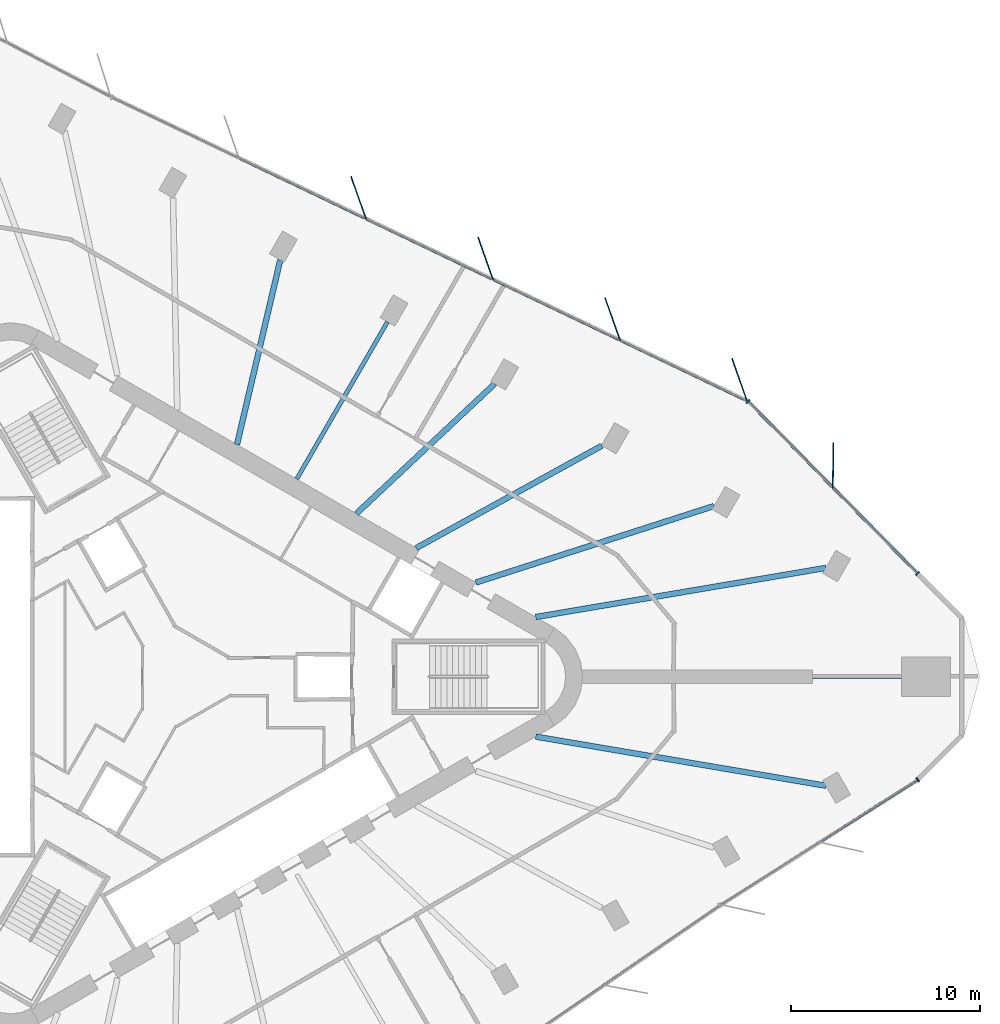
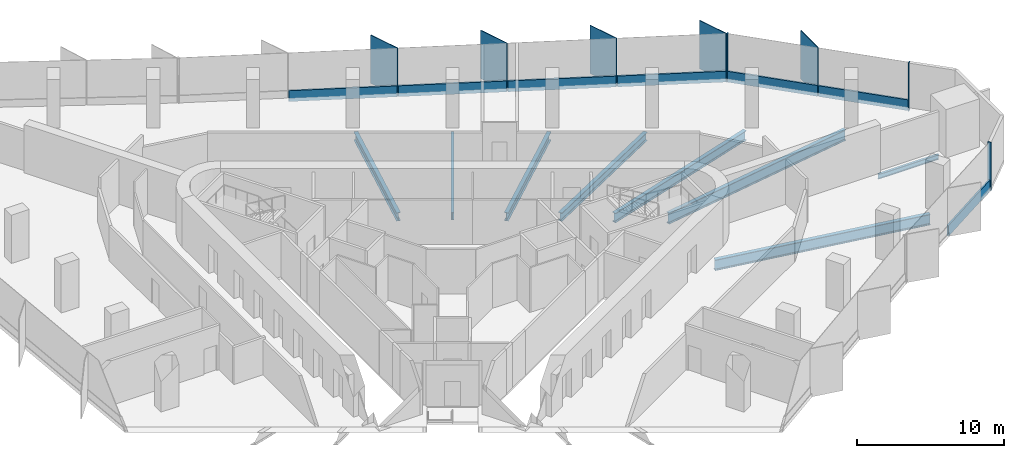
# One storey, part 5 of 13: 15 members, 8 beams, 3 elements without a shape of their own.
"""IFC4 building model written with IfcOpenShell, lengths in metres."""

from ifc_helpers import new_model, si_unit, direction, frame, origin, origin_2d, place, context, subcontext, project, spatial, rectangle, i_section, extrude, material, material_profile, profile_set, type_object, element, aggregate, save


model = new_model("IFC4")

# Units and contexts
model_context = context("Model", 3, precision=1e-05, world=origin(), true_north=direction((0.0, 1.0)))
body_context = subcontext(model_context, "Body", "Model", "MODEL_VIEW")
ifc_project = project(units=[si_unit("LENGTHUNIT", "METRE"), si_unit("AREAUNIT", "SQUARE_METRE"), si_unit("VOLUMEUNIT", "CUBIC_METRE"), si_unit("PLANEANGLEUNIT", "RADIAN"), si_unit("MASSUNIT", "GRAM", prefix="KILO")], contexts=[model_context])

# Site, building, storey
site_placement = place(None, origin())
site = spatial("IfcSite", under=ifc_project, at=site_placement, CompositionType="ELEMENT")
building_placement = place(site_placement, origin())
building = spatial("IfcBuilding", under=site, at=building_placement, Name="Tanit Gate Tower", CompositionType="ELEMENT")
storey_placement = place(building_placement, frame((0.0, 0.0, 189.199951171875)))
storey = spatial("IfcBuildingStorey", under=building, at=storey_placement, Name="L41", CompositionType="ELEMENT", Elevation=189.199951171875)

# Curtain wall, member
ifc_material_1 = material(Name="Aluminium bronze anodised and glass", Category="aluminium")
curtain_wall_type = type_object("IfcCurtainWallType", Name="Curtain wall typical mid", PredefinedType="NOTDEFINED", material=ifc_material_1)
curtain_wall_1_placement = place(storey_placement, origin())
curtain_wall_1 = element("IfcCurtainWall", 1, at=curtain_wall_1_placement, inside=storey, type_object=curtain_wall_type, Name="Curtain wall L41 NE1", PredefinedType="NOTDEFINED")
ifc_material_2 = material(Name="Aluminium bronze anodised", Category="aluminium")
ifc_material_profile_1 = material_profile(ifc_material_2, rectangle(XDim=2.39990234375, YDim=0.055908203125, at=origin_2d()), Name="56x2400 bronze fin mullion")
ifc_profile_set_1 = profile_set([ifc_material_profile_1], Name="Aluminium bronze anodised")
member_type_1 = type_object("IfcMemberType", Name="FIN MULLION 56x2400 bronze", PredefinedType="MULLION", material=ifc_profile_set_1)
member_1_placement = place(storey_placement, frame((34.4716796875, 11.202392578125, -0.300048828125), z_axis=(0.0, 0.0, 1.0), x_axis=(-0.007640135799, -0.999970813737, 0.0)))
member_1 = element("IfcMember", 2, at=member_1_placement, type_object=member_type_1, Name="Fin mullion L41 NE1.2", PredefinedType="MULLION", context=body_context, shape_type="SweptSolid", body=[
    extrude(rectangle(XDim=2.39990234375, YDim=0.055908203125, at=origin_2d()), origin(), (0.0, 0.0, 1.0), 4.0),
])

# Curtain wall, members
curtain_wall_2_placement = place(storey_placement, origin())
curtain_wall_2 = element("IfcCurtainWall", 3, at=curtain_wall_2_placement, inside=storey, type_object=curtain_wall_type, Name="Curtain wall L41 NE2", PredefinedType="NOTDEFINED")
member_2_placement = place(storey_placement, frame((29.517822265625, 15.738037109375, -0.300048828125), z_axis=(0.0, 0.0, 1.0), x_axis=(0.333090099539, -0.94289500242, 0.0)))
member_2 = element("IfcMember", 4, at=member_2_placement, type_object=member_type_1, Name="Fin mullion L41 NE2.1", PredefinedType="MULLION", context=body_context, shape_type="SweptSolid", body=[
    extrude(rectangle(XDim=2.39990234375, YDim=0.055908203125, at=origin_2d()), origin(), (0.0, 0.0, 1.0), 4.0),
])
member_3_placement = place(storey_placement, frame((22.78759765625, 18.95458984375, -0.300048828125), z_axis=(0.0, 0.0, 1.0), x_axis=(0.333090099539, -0.94289500242, 0.0)))
member_3 = element("IfcMember", 5, at=member_3_placement, type_object=member_type_1, Name="Fin mullion L41 NE2.2", PredefinedType="MULLION", context=body_context, shape_type="SweptSolid", body=[
    extrude(rectangle(XDim=2.39990234375, YDim=0.055908203125, at=origin_2d()), origin(), (0.0, 0.0, 1.0), 4.0),
])
member_4_placement = place(storey_placement, frame((16.05712890625, 22.171142578125, -0.300048828125), z_axis=(0.0, 0.0, 1.0), x_axis=(0.333090099539, -0.94289500242, 0.0)))
member_4 = element("IfcMember", 6, at=member_4_placement, type_object=member_type_1, Name="Fin mullion L41 NE2.3", PredefinedType="MULLION", context=body_context, shape_type="SweptSolid", body=[
    extrude(rectangle(XDim=2.39990234375, YDim=0.055908203125, at=origin_2d()), origin(), (0.0, 0.0, 1.0), 4.0),
])
member_5_placement = place(storey_placement, frame((9.326904296875, 25.387451171875, -0.300048828125), z_axis=(0.0, 0.0, 1.0), x_axis=(0.333090099539, -0.94289500242, 0.0)))
member_5 = element("IfcMember", 7, at=member_5_placement, type_object=member_type_1, Name="Fin mullion L41 NE2.4", PredefinedType="MULLION", context=body_context, shape_type="SweptSolid", body=[
    extrude(rectangle(XDim=2.39990234375, YDim=0.055908203125, at=origin_2d()), origin(), (0.0, 0.0, 1.0), 4.0),
])

# Member
ifc_material_3 = material(Name="Aluminium bronze anodised", Category="aluminium")
ifc_material_profile_2 = material_profile(ifc_material_3, rectangle(XDim=0.260009765625, YDim=0.080078125, at=origin_2d()), Name="80x260 bronze mullion")
ifc_profile_set_2 = profile_set([ifc_material_profile_2], Name="Aluminium bronze anodised")
member_type_2 = type_object("IfcMemberType", Name="Mullion 80x260 typical mid", PredefinedType="MULLION", material=ifc_profile_set_2)
member_6_placement = place(storey_placement, frame((38.95068359375, 5.466552734375, -0.300048828125), z_axis=(0.0, 0.0, 1.0), x_axis=(-0.712488535215, -0.701683751549, 0.0)))
member_6 = element("IfcMember", 8, at=member_6_placement, type_object=member_type_2, Name="Mullion L41 NE1.1", PredefinedType="MULLION", context=body_context, shape_type="SweptSolid", body=[
    extrude(rectangle(XDim=0.260009765625, YDim=0.080078125, at=origin_2d()), origin(), (0.0, 0.0, 1.0), 4.0),
])

member_7_placement = place(storey_placement, frame((29.974609375, 14.580810546875, -0.300048828125), z_axis=(0.0, 0.0, 1.0), x_axis=(-0.712488535215, -0.701683751549, 0.0)))
member_7 = element("IfcMember", 9, at=member_7_placement, type_object=member_type_2, Name="Mullion L41 NE1.3", PredefinedType="MULLION", context=body_context, shape_type="SweptSolid", body=[
    extrude(rectangle(XDim=0.260009765625, YDim=0.080078125, at=origin_2d()), origin(), (0.0, 0.0, 1.0), 4.0),
])

# Curtain wall, member
curtain_wall_3_placement = place(storey_placement, origin())
curtain_wall_3 = element("IfcCurtainWall", 10, at=curtain_wall_3_placement, inside=storey, type_object=curtain_wall_type, Name="Curtain wall L41 SE3", PredefinedType="NOTDEFINED")
member_8_placement = place(storey_placement, frame((38.95458984375, -5.449951171875, -0.300048828125), z_axis=(0.0, 0.0, 1.0), x_axis=(-0.536190991102, 0.844096689403, 0.0)))
member_8 = element("IfcMember", 11, at=member_8_placement, type_object=member_type_2, Name="Mullion L41 SE3.3", PredefinedType="MULLION", context=body_context, shape_type="SweptSolid", body=[
    extrude(rectangle(XDim=0.260009765625, YDim=0.080078125, at=origin_2d()), origin(), (0.0, 0.0, 1.0), 4.0),
])

# Beams
ifc_material_4 = material(Name="Steel S355", Category="steel")
ifc_material_profile_3 = material_profile(ifc_material_4, i_section(OverallWidth=0.300048828125, OverallDepth=0.68994140625, WebThickness=0.014404296875, FlangeThickness=0.027099609375, FilletRadius=0.027099609375, at=origin_2d()), Name="HEA 700")
ifc_profile_set_3 = profile_set([ifc_material_profile_3], Name="Steel S355")
beam_type_1 = type_object("IfcBeamType", Name="RADIAL GIRDER HEA 700 S355", PredefinedType="BEAM", material=ifc_profile_set_3)
beam_1_placement = place(storey_placement, frame((22.21875, 12.245849609375, -0.64501953125), z_axis=(-0.875791934308, -0.482688810519, 0.0), x_axis=(0.482688810519, -0.875791934308, 0.0)))
element("IfcBeam", 12, at=beam_1_placement, inside=storey, type_object=beam_type_1, Name="RADIAL GIRDER", PredefinedType="BEAM", context=body_context, shape_type="SweptSolid", body=[
    extrude(i_section(OverallWidth=0.300048828125, OverallDepth=0.68994140625, WebThickness=0.014404296875, FlangeThickness=0.027099609375, FilletRadius=0.027099609375, at=origin_2d()), origin(), (0.0, 0.0, 1.0), 11.230712890625),
])
for number, where, z_axis, x_axis, name in (
    (13, (16.5380859375, 15.525634765625, -0.64501953125), (-0.72907377567, -0.684435117181, 0.0), (0.684435117181, -0.72907377567, 0.0), "RADIAL GIRDER"),
    (14, (5.176513671875, 22.085205078125, -0.64501953125), (-0.228201765942, -0.973613862895, 0.0), (0.973613862895, -0.228201765942, 0.0), "RADIAL GIRDER"),
):
    element("IfcBeam", number, at=place(storey_placement, frame(where, z_axis=z_axis, x_axis=x_axis)), inside=storey, type_object=beam_type_1, Name=name, PredefinedType="BEAM", context=body_context, shape_type="SweptSolid", body=[
        extrude(i_section(OverallWidth=0.300048828125, OverallDepth=0.68994140625, WebThickness=0.014404296875, FlangeThickness=0.027099609375, FilletRadius=0.027099609375, at=origin_2d()), origin(), (0.0, 0.0, 1.0), 10.04150390625),
    ])
ifc_material_5 = material(Name="Steel S355", Category="steel")
ifc_material_profile_4 = material_profile(ifc_material_5, i_section(OverallWidth=0.300048828125, OverallDepth=0.7900390625, WebThickness=0.014892578125, FlangeThickness=0.028076171875, FilletRadius=0.030029296875, at=origin_2d()), Name="HEA 800")
ifc_profile_set_4 = profile_set([ifc_material_profile_4], Name="Steel S355")
beam_type_2 = type_object("IfcBeamType", Name="RADIAL GIRDER HEA 800 S355", PredefinedType="BEAM", material=ifc_profile_set_4)
beam_2_placement = place(storey_placement, frame((28.160888671875, 9.05029296875, -0.695068359375), z_axis=(-0.952041216239, -0.305969806651, 0.0), x_axis=(0.305969806651, -0.952041216239, 0.0)))
element("IfcBeam", 15, at=beam_2_placement, inside=storey, type_object=beam_type_2, Name="RADIAL GIRDER", PredefinedType="BEAM", context=body_context, shape_type="SweptSolid", body=[
    extrude(i_section(OverallWidth=0.300048828125, OverallDepth=0.7900390625, WebThickness=0.014892578125, FlangeThickness=0.028076171875, FilletRadius=0.030029296875, at=origin_2d()), origin(), (0.0, 0.0, 1.0), 13.2470703125),
])
ifc_material_6 = material(Name="Steel S355", Category="steel")
ifc_material_profile_5 = material_profile(ifc_material_6, i_section(OverallWidth=0.300048828125, OverallDepth=0.889892578125, WebThickness=0.01611328125, FlangeThickness=0.030029296875, FilletRadius=0.030029296875, at=origin_2d()), Name="HEA 900")
ifc_profile_set_5 = profile_set([ifc_material_profile_5], Name="Steel S355")
beam_type_3 = type_object("IfcBeamType", Name="RADIAL GIRDER HEA 900 S355", PredefinedType="BEAM", material=ifc_profile_set_5)
for number, where, z_axis, x_axis, name in (
    (16, (34.0869140625, -5.772216796875, -0.744873046875), (-0.985963996178, 0.1669580733, 0.0), (-0.1669580733, -0.985963996178, 0.0), "RADIAL GIRDER"),
    (17, (34.0869140625, 5.772216796875, -0.744873046875), (-0.985963996178, -0.1669580733, 0.0), (0.1669580733, -0.985963996178, 0.0), "RADIAL GIRDER"),
):
    element("IfcBeam", number, at=place(storey_placement, frame(where, z_axis=z_axis, x_axis=x_axis)), inside=storey, type_object=beam_type_3, Name=name, PredefinedType="BEAM", context=body_context, shape_type="SweptSolid", body=[
        extrude(i_section(OverallWidth=0.300048828125, OverallDepth=0.889892578125, WebThickness=0.01611328125, FlangeThickness=0.030029296875, FilletRadius=0.030029296875, at=origin_2d()), origin(), (0.0, 0.0, 1.0), 15.5908203125),
    ])
ifc_material_7 = material(Name="Steel S355", Category="steel")
ifc_material_profile_6 = material_profile(ifc_material_7, i_section(OverallWidth=0.179931640625, OverallDepth=0.39990234375, WebThickness=0.008544921875, FlangeThickness=0.013427734375, FilletRadius=0.02099609375, at=origin_2d()), Name="IPE 400")
ifc_profile_set_6 = profile_set([ifc_material_profile_6], Name="Steel S355")
beam_type_4 = type_object("IfcBeamType", Name="RADIAL GIRDER IPE 400 S355", PredefinedType="BEAM", material=ifc_profile_set_6)
beam_3_placement = place(storey_placement, frame((38.102294921875, 0.0, -0.5), z_axis=(-1.0, 0.0, 0.0), x_axis=(0.0, -1.0, 0.0)))
element("IfcBeam", 18, at=beam_3_placement, inside=storey, type_object=beam_type_4, Name="RADIAL GIRDER", PredefinedType="BEAM", context=body_context, shape_type="SweptSolid", body=[
    extrude(i_section(OverallWidth=0.179931640625, OverallDepth=0.39990234375, WebThickness=0.008544921875, FlangeThickness=0.013427734375, FilletRadius=0.02099609375, at=origin_2d()), origin(), (0.0, 0.0, 1.0), 4.732666015625),
])
ifc_material_8 = material(Name="Steel S355", Category="steel")
ifc_material_profile_7 = material_profile(ifc_material_8, i_section(OverallWidth=0.219970703125, OverallDepth=0.60009765625, WebThickness=0.011962890625, FlangeThickness=0.01904296875, FilletRadius=0.02392578125, at=origin_2d()), Name="IPE 600")
ifc_profile_set_7 = profile_set([ifc_material_profile_7], Name="Steel S355")
beam_type_5 = type_object("IfcBeamType", Name="RADIAL GIRDER IPE 600 S355", PredefinedType="BEAM", material=ifc_profile_set_7)
beam_4_placement = place(storey_placement, frame((10.857421875, 18.805419921875, -0.599853515625), z_axis=(-0.500009724617, -0.866019789201, 0.0), x_axis=(0.866019789201, -0.500009724617, 0.0)))
element("IfcBeam", 19, at=beam_4_placement, inside=storey, type_object=beam_type_5, Name="RADIAL GIRDER", PredefinedType="BEAM", context=body_context, shape_type="SweptSolid", body=[
    extrude(i_section(OverallWidth=0.219970703125, OverallDepth=0.60009765625, WebThickness=0.011962890625, FlangeThickness=0.01904296875, FilletRadius=0.02392578125, at=origin_2d()), origin(), (0.0, 0.0, 1.0), 9.612548828125),
])

# Member
ifc_material_9 = material(Name="Aluminium bronze anodised", Category="aluminium")
ifc_material_profile_8 = material_profile(ifc_material_9, rectangle(XDim=0.139892578125, YDim=0.89990234375, at=origin_2d()), Name="140x900 bronze transom")
ifc_profile_set_8 = profile_set([ifc_material_profile_8], Name="Aluminium bronze anodised")
member_type_3 = type_object("IfcMemberType", Name="Transom 140x900 typical mid", PredefinedType="USERDEFINED", material=ifc_profile_set_8)
member_9_placement = place(storey_placement, frame((38.922607421875, 5.4951171875, 0.150146484375), z_axis=(-0.70167460233, 0.712497545571, 0.0), x_axis=(-0.712497545571, -0.70167460233, 0.0)))
member_9 = element("IfcMember", 20, at=member_9_placement, type_object=member_type_3, Name="Transom L41 NE1.1", ObjectType="TRANSOM", PredefinedType="USERDEFINED", context=body_context, shape_type="SweptSolid", body=[
    extrude(rectangle(XDim=0.139892578125, YDim=0.89990234375, at=origin_2d()), origin(), (0.0, 0.0, 1.0), 6.316162109375),
])

member_10_placement = place(storey_placement, frame((34.4345703125, 10.05224609375, 0.150146484375), z_axis=(-0.70167460233, 0.712497545571, 0.0), x_axis=(-0.712497545571, -0.70167460233, 0.0)))
member_10 = element("IfcMember", 21, at=member_10_placement, type_object=member_type_3, Name="Transom L41 NE1.2", ObjectType="TRANSOM", PredefinedType="USERDEFINED", context=body_context, shape_type="SweptSolid", body=[
    extrude(rectangle(XDim=0.139892578125, YDim=0.89990234375, at=origin_2d()), origin(), (0.0, 0.0, 1.0), 6.316162109375),
])

aggregate(curtain_wall_1, [member_6, member_1, member_7, member_9, member_10])

member_11_placement = place(storey_placement, frame((29.874267578125, 14.643798828125, 0.150146484375), z_axis=(-0.902245609751, 0.431222517601, 0.0), x_axis=(-0.431222517601, -0.902245609751, 0.0)))
member_11 = element("IfcMember", 22, at=member_11_placement, type_object=member_type_3, Name="Transom L41 NE2.1", ObjectType="TRANSOM", PredefinedType="USERDEFINED", context=body_context, shape_type="SweptSolid", body=[
    extrude(rectangle(XDim=0.139892578125, YDim=0.89990234375, at=origin_2d()), origin(), (0.0, 0.0, 1.0), 7.37939453125),
])

member_12_placement = place(storey_placement, frame((23.14404296875, 17.8603515625, 0.150146484375), z_axis=(-0.902264632837, 0.431182713397, 0.0), x_axis=(-0.431182713397, -0.902264632837, 0.0)))
member_12 = element("IfcMember", 23, at=member_12_placement, type_object=member_type_3, Name="Transom L41 NE2.2", ObjectType="TRANSOM", PredefinedType="USERDEFINED", context=body_context, shape_type="SweptSolid", body=[
    extrude(rectangle(XDim=0.139892578125, YDim=0.89990234375, at=origin_2d()), origin(), (0.0, 0.0, 1.0), 7.37939453125),
])

member_13_placement = place(storey_placement, frame((16.413818359375, 21.076904296875, 0.150146484375), z_axis=(-0.902264632837, 0.431182713397, 0.0), x_axis=(-0.431182713397, -0.902264632837, 0.0)))
member_13 = element("IfcMember", 24, at=member_13_placement, type_object=member_type_3, Name="Transom L41 NE2.3", ObjectType="TRANSOM", PredefinedType="USERDEFINED", context=body_context, shape_type="SweptSolid", body=[
    extrude(rectangle(XDim=0.139892578125, YDim=0.89990234375, at=origin_2d()), origin(), (0.0, 0.0, 1.0), 7.37939453125),
])

member_14_placement = place(storey_placement, frame((9.683349609375, 24.293212890625, 0.150146484375), z_axis=(-0.902245609751, 0.431222517601, 0.0), x_axis=(-0.431222517601, -0.902245609751, 0.0)))
member_14 = element("IfcMember", 25, at=member_14_placement, type_object=member_type_3, Name="Transom L41 NE2.4", ObjectType="TRANSOM", PredefinedType="USERDEFINED", context=body_context, shape_type="SweptSolid", body=[
    extrude(rectangle(XDim=0.139892578125, YDim=0.89990234375, at=origin_2d()), origin(), (0.0, 0.0, 1.0), 7.37939453125),
])

aggregate(curtain_wall_2, [member_2, member_3, member_4, member_5, member_11, member_12, member_13, member_14])

member_15_placement = place(storey_placement, frame((33.777099609375, -8.73876953125, 0.150146484375), z_axis=(0.844106613842, 0.536175367272, 0.0), x_axis=(-0.536175367272, 0.844106613842, 0.0)))
member_15 = element("IfcMember", 26, at=member_15_placement, type_object=member_type_3, Name="Transom L41 SE3.2", ObjectType="TRANSOM", PredefinedType="USERDEFINED", context=body_context, shape_type="SweptSolid", body=[
    extrude(rectangle(XDim=0.139892578125, YDim=0.89990234375, at=origin_2d()), origin(), (0.0, 0.0, 1.0), 6.09375),
])

aggregate(curtain_wall_3, [member_8, member_15])

save(model, "model.ifc")
